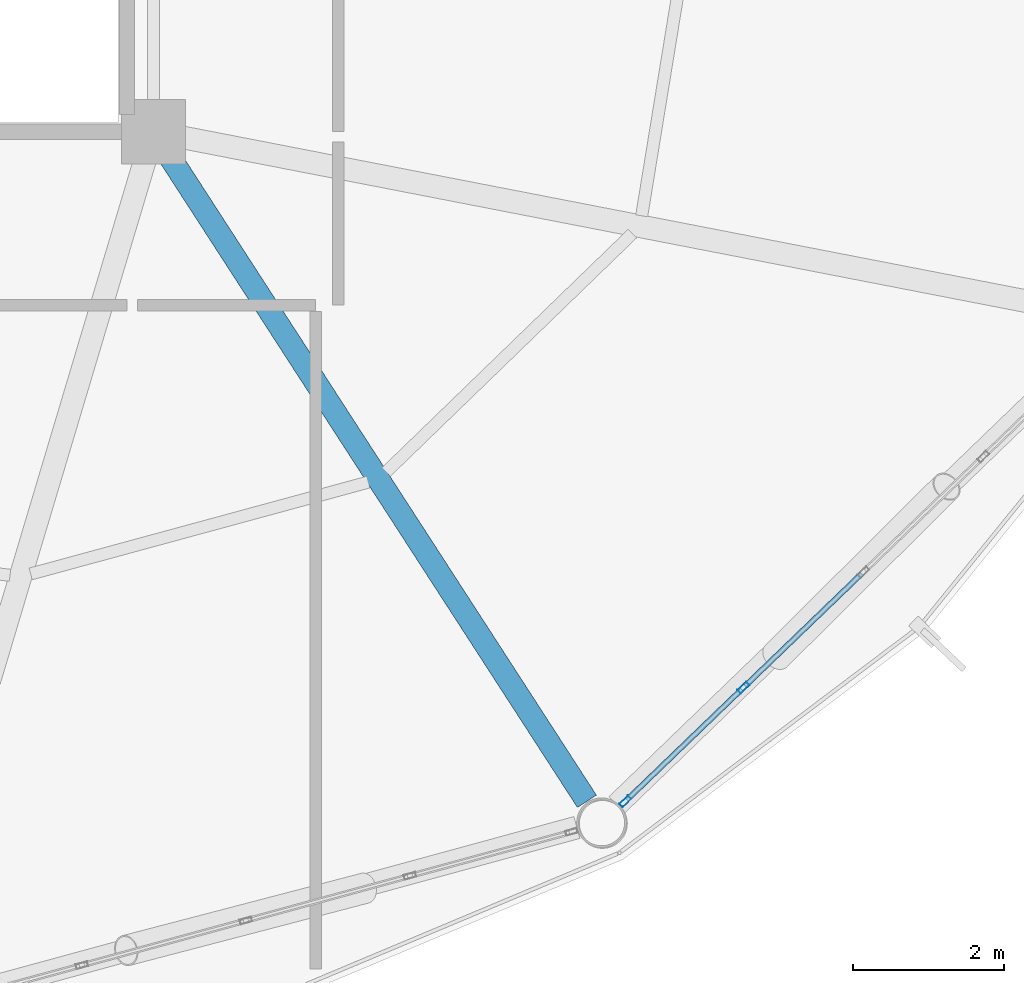
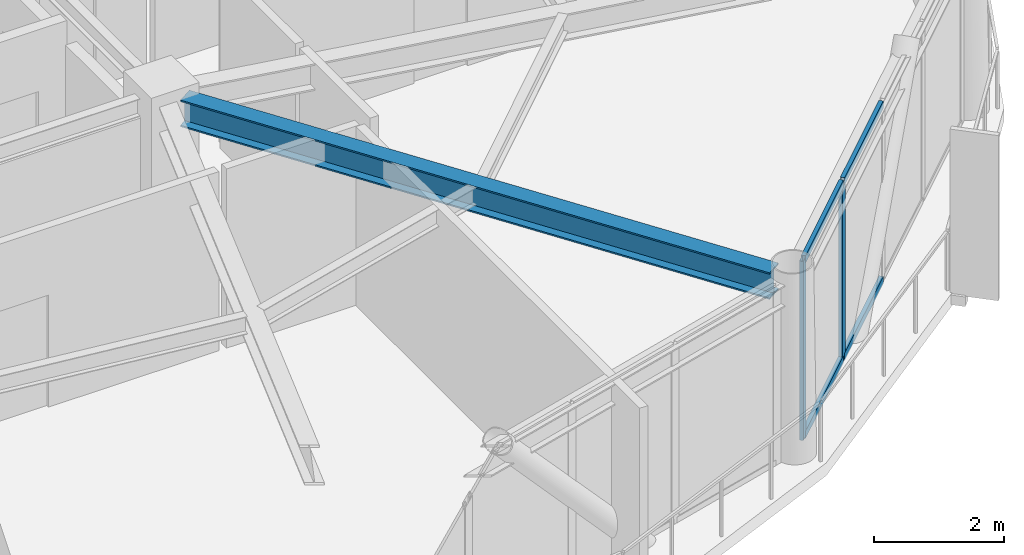
# One storey, part 8 of 26: 6 members, 1 beam, 1 element without a shape of its own.
"""IFC4 building model written with IfcOpenShell, lengths in metres."""

from ifc_helpers import new_model, si_unit, direction, frame, origin, origin_2d, place, context, subcontext, project, spatial, hollow_rectangle, i_section, extrude, material, layer, layer_set, material_profile, profile_set, type_object, element, aggregate, save


model = new_model("IFC4")

# Units and contexts
model_context = context("Model", 3, precision=1e-05, world=origin(), true_north=direction((0.0, 1.0)))
body_context = subcontext(model_context, "Body", "Model", "MODEL_VIEW")
ifc_project = project(units=[si_unit("LENGTHUNIT", "METRE"), si_unit("AREAUNIT", "SQUARE_METRE"), si_unit("VOLUMEUNIT", "CUBIC_METRE"), si_unit("PLANEANGLEUNIT", "RADIAN"), si_unit("MASSUNIT", "GRAM", prefix="KILO")], contexts=[model_context])

# Site, building, storey
site_placement = place(None, origin())
site = spatial("IfcSite", under=ifc_project, at=site_placement, CompositionType="ELEMENT")
building_placement = place(site_placement, origin())
building = spatial("IfcBuilding", under=site, at=building_placement, Name="Varnakorn Sky Granary", CompositionType="ELEMENT")
storey_placement = place(building_placement, frame((0.0, 0.0, 218.39990234375)))
storey = spatial("IfcBuildingStorey", under=building, at=storey_placement, Name="L55", CompositionType="ELEMENT", Elevation=218.39990234375)

# Beam
ifc_material_1 = material(Name="Steel S355JR", Category="steel")
ifc_material_profile_1 = material_profile(ifc_material_1, i_section(OverallWidth=0.300048828125, OverallDepth=0.5, WebThickness=0.014404296875, FlangeThickness=0.028076171875, at=origin_2d()), Name="HE 500 B")
ifc_profile_set_1 = profile_set([ifc_material_profile_1], Name="Steel S355JR")
beam_type = type_object("IfcBeamType", Name="BM-RAD-Z4", PredefinedType="BEAM", material=ifc_profile_set_1)
beam_placement = place(storey_placement, frame((8.570068359375, -6.93994140625, 3.110107421875), z_axis=(0.543429470622, -0.839454829315, 0.0), x_axis=(0.839454829315, 0.543429470622, 0.0)))
element("IfcBeam", 1, at=beam_placement, inside=storey, type_object=beam_type, Name="Radial Floor Girder RG11 L55", PredefinedType="BEAM", context=body_context, shape_type="SweptSolid", body=[
    extrude(i_section(OverallWidth=0.300048828125, OverallDepth=0.5, WebThickness=0.014404296875, FlangeThickness=0.028076171875, at=origin_2d()), origin(), (0.0, 0.0, 1.0), 10.16796875),
])

# Curtain wall, members
ifc_material_2 = material(Name="Anodised Bronze Aluminium Alloy 6063-T6", Category="aluminium")
ifc_layer = layer(ifc_material_2, 0.169921875, Name="Anodised Bronze Aluminium Alloy 6063-T6")
ifc_layer_set = layer_set([ifc_layer], Name="Anodised Bronze Aluminium Alloy 6063-T6")
curtain_wall_type = type_object("IfcCurtainWallType", Name="CW-LAB-1", PredefinedType="USERDEFINED", material=ifc_layer_set)
curtain_wall_placement = place(storey_placement, origin())
curtain_wall = element("IfcCurtainWall", 2, at=curtain_wall_placement, inside=storey, type_object=curtain_wall_type, Name="Unitised Curtain Wall CW5 CW-L55-B11", ObjectType="CURTAIN WALL", PredefinedType="USERDEFINED")
ifc_material_profile_2 = material_profile(ifc_material_2, hollow_rectangle(XDim=0.06494140625, YDim=0.159912109375, WallThickness=0.00341796875, at=origin_2d()), Name="ALU MULL 65x160")
ifc_profile_set_2 = profile_set([ifc_material_profile_2], Name="Anodised Bronze Aluminium Alloy 6063-T6")
member_type_1 = type_object("IfcMemberType", Name="CW-LAB-1-MULL", PredefinedType="MULLION", material=ifc_profile_set_2)
member_1_placement = place(storey_placement, frame((16.171142578125, -13.968017578125, 0.0), z_axis=(0.0, 0.0, 1.0), x_axis=(0.693784930795, -0.72018224763, 0.0)))
member_1 = element("IfcMember", 3, at=member_1_placement, type_object=member_type_1, Name="CW5 mullion 4", PredefinedType="MULLION", context=body_context, shape_type="SweptSolid", body=[
    extrude(hollow_rectangle(XDim=0.06494140625, YDim=0.159912109375, WallThickness=0.00341796875, at=origin_2d()), origin(), (0.0, 0.0, 1.0), 3.360107421875),
])
member_2_placement = place(storey_placement, frame((14.605224609375, -15.476318359375, 0.0), z_axis=(0.0, 0.0, 1.0), x_axis=(0.693784930795, -0.72018224763, 0.0)))
member_2 = element("IfcMember", 4, at=member_2_placement, type_object=member_type_1, Name="CW5 mullion 5", PredefinedType="MULLION", context=body_context, shape_type="SweptSolid", body=[
    extrude(hollow_rectangle(XDim=0.06494140625, YDim=0.159912109375, WallThickness=0.00341796875, at=origin_2d()), origin(), (0.0, 0.0, 1.0), 3.360107421875),
])
ifc_material_profile_3 = material_profile(ifc_material_2, hollow_rectangle(XDim=0.070068359375, YDim=0.139892578125, WallThickness=0.00341796875, at=origin_2d()), Name="ALU TRAN 70x140")
ifc_profile_set_3 = profile_set([ifc_material_profile_3], Name="Anodised Bronze Aluminium Alloy 6063-T6")
member_type_2 = type_object("IfcMemberType", Name="CW-LAB-1-TRAN", PredefinedType="USERDEFINED", material=ifc_profile_set_3)
member_3_placement = place(storey_placement, frame((17.73681640625, -12.45947265625, 0.03515625), z_axis=(-0.720151420341, -0.693816929586, 0.0), x_axis=(0.693816929586, -0.720151420341, 0.0)))
member_3 = element("IfcMember", 5, at=member_3_placement, type_object=member_type_2, Name="CW5 transom 3.1", ObjectType="TRANSOM", PredefinedType="USERDEFINED", context=body_context, shape_type="SweptSolid", body=[
    extrude(hollow_rectangle(XDim=0.070068359375, YDim=0.139892578125, WallThickness=0.00341796875, at=origin_2d()), origin(), (0.0, 0.0, 1.0), 2.1416015625),
])
member_4_placement = place(storey_placement, frame((17.73681640625, -12.45947265625, 3.3251953125), z_axis=(-0.720151420341, -0.693816929586, 0.0), x_axis=(0.693816929586, -0.720151420341, 0.0)))
member_4 = element("IfcMember", 6, at=member_4_placement, type_object=member_type_2, Name="CW5 transom 3.2", ObjectType="TRANSOM", PredefinedType="USERDEFINED", context=body_context, shape_type="SweptSolid", body=[
    extrude(hollow_rectangle(XDim=0.070068359375, YDim=0.139892578125, WallThickness=0.00341796875, at=origin_2d()), origin(), (0.0, 0.0, 1.0), 2.1416015625),
])
member_5_placement = place(storey_placement, frame((16.147705078125, -13.990478515625, 0.03515625), z_axis=(-0.72017883047, -0.693788477955, 0.0), x_axis=(0.693788477955, -0.72017883047, 0.0)))
member_5 = element("IfcMember", 7, at=member_5_placement, type_object=member_type_2, Name="CW5 transom 4.1", ObjectType="TRANSOM", PredefinedType="USERDEFINED", context=body_context, shape_type="SweptSolid", body=[
    extrude(hollow_rectangle(XDim=0.070068359375, YDim=0.139892578125, WallThickness=0.00341796875, at=origin_2d()), origin(), (0.0, 0.0, 1.0), 2.109375),
])
member_6_placement = place(storey_placement, frame((16.147705078125, -13.990478515625, 3.3251953125), z_axis=(-0.72017883047, -0.693788477955, 0.0), x_axis=(0.693788477955, -0.72017883047, 0.0)))
member_6 = element("IfcMember", 8, at=member_6_placement, type_object=member_type_2, Name="CW5 transom 4.2", ObjectType="TRANSOM", PredefinedType="USERDEFINED", context=body_context, shape_type="SweptSolid", body=[
    extrude(hollow_rectangle(XDim=0.070068359375, YDim=0.139892578125, WallThickness=0.00341796875, at=origin_2d()), origin(), (0.0, 0.0, 1.0), 2.109375),
])
aggregate(curtain_wall, [member_1, member_2, member_3, member_4, member_5, member_6])

save(model, "model.ifc")
